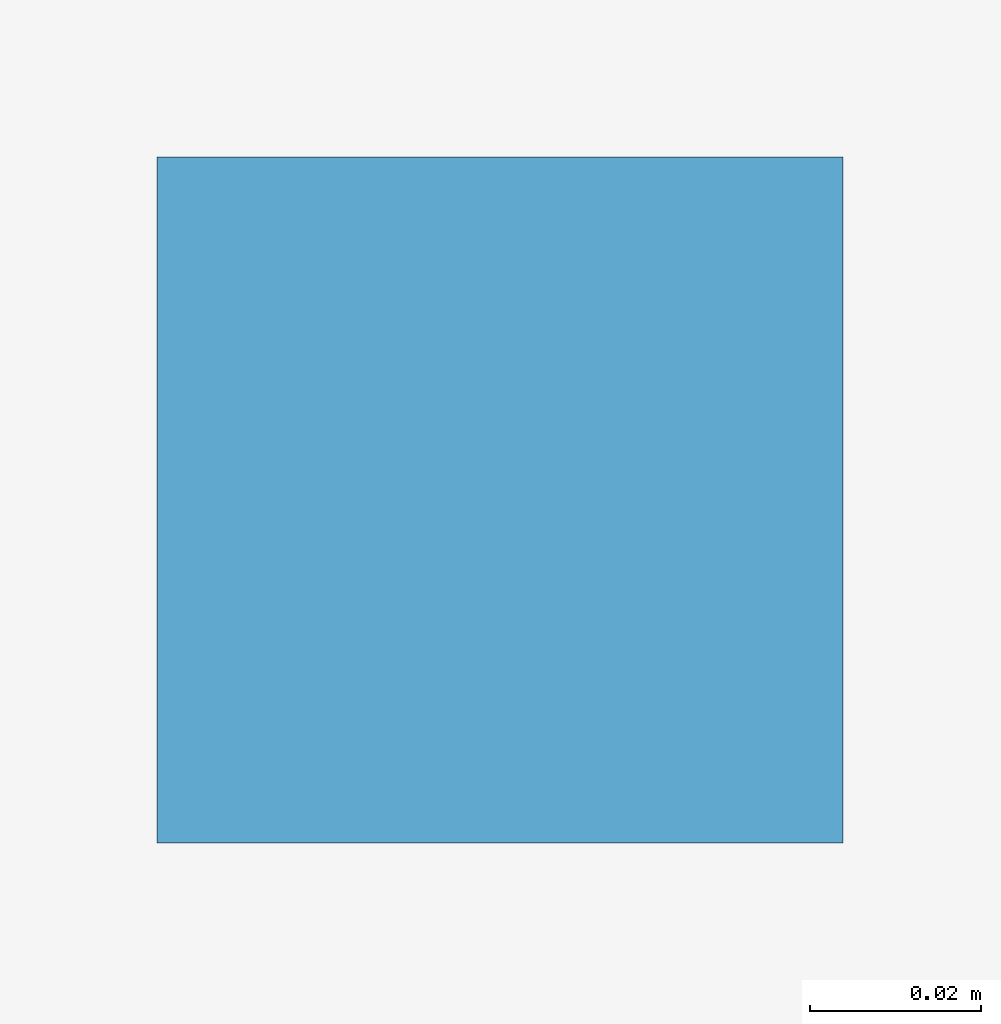
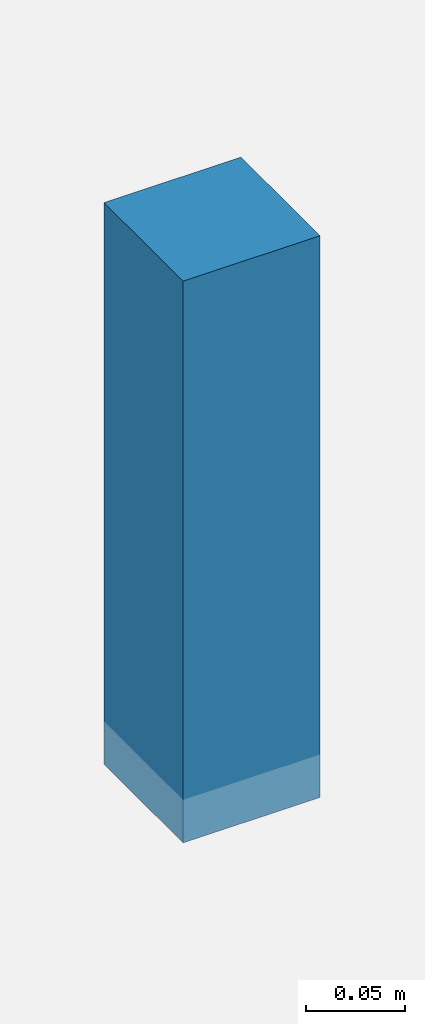
# One storey, part 142 of 157: 1 discrete accessory.
"""IFC4 building model written with IfcOpenShell, lengths in metres."""

from ifc_helpers import new_model, si_unit, direction, frame, origin, origin_2d, place, context, subcontext, project, spatial, rectangle, extrude, material, type_object, element, save


model = new_model("IFC4")

# Units and contexts
model_context = context("Model", 3, precision=1e-05, world=origin(), true_north=direction((0.0, 1.0)))
body_context = subcontext(model_context, "Body", "Model", "MODEL_VIEW")
ifc_project = project(units=[si_unit("LENGTHUNIT", "METRE"), si_unit("AREAUNIT", "SQUARE_METRE"), si_unit("VOLUMEUNIT", "CUBIC_METRE"), si_unit("PLANEANGLEUNIT", "RADIAN"), si_unit("MASSUNIT", "GRAM", prefix="KILO")], contexts=[model_context])

# Site, building, storey
site_placement = place(None, origin())
site = spatial("IfcSite", under=ifc_project, at=site_placement, CompositionType="ELEMENT")
building_placement = place(site_placement, origin())
building = spatial("IfcBuilding", under=site, at=building_placement, Name="Chalmorin Arch Market", CompositionType="ELEMENT")
storey_placement = place(building_placement, frame((0.0, 0.0, 4.800048828125)))
storey = spatial("IfcBuildingStorey", under=building, at=storey_placement, Name="L01", CompositionType="ELEMENT", Elevation=4.800048828125)

# Discrete accessory
ifc_material = material(Name="Galvanized Cold-Formed Steel", Category="steel")
discrete_accessory_type = type_object("IfcDiscreteAccessoryType", Name="CeilingSuspensionBracket-80x80", PredefinedType="BRACKET", material=ifc_material)
discrete_accessory_placement = place(storey_placement, frame((28.0, 18.35009765625, 4.2529296875), z_axis=(0.0, 0.0, 1.0), x_axis=(1.0, 0.0, 0.0)))
element("IfcDiscreteAccessory", 1, at=discrete_accessory_placement, inside=storey, type_object=discrete_accessory_type, Name="CSB-155", PredefinedType="BRACKET", context=body_context, shape_type="SweptSolid", body=[
    extrude(rectangle(XDim=0.080078125, YDim=0.080078125, at=origin_2d()), origin(), (0.0, 0.0, 1.0), 0.346923828125),
])

save(model, "model.ifc")
